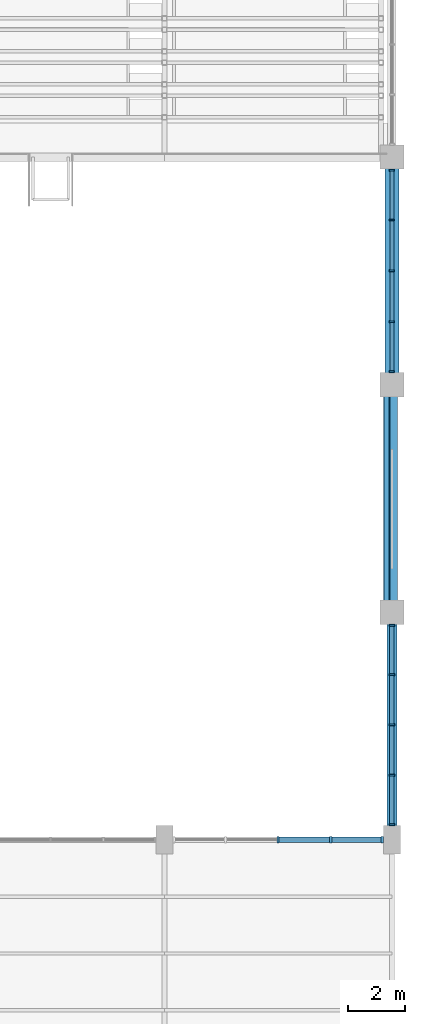
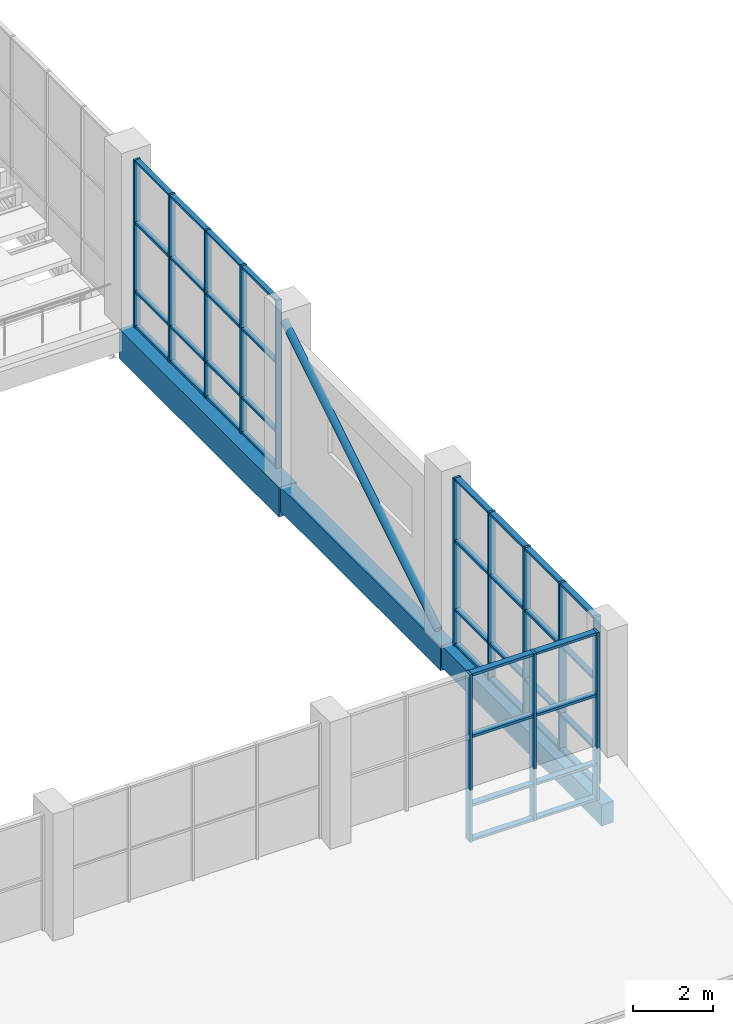
# One storey, part 53 of 122: 54 members, 3 beams, 3 elements without a shape of their own.
"""IFC4 building model written with IfcOpenShell, lengths in metres."""

from ifc_helpers import new_model, si_unit, direction, frame, origin, origin_2d, place, context, subcontext, project, spatial, rectangle, hollow_circle, extrude, material, material_profile, profile_set, type_object, element, aggregate, save


model = new_model("IFC4")

# Units and contexts
model_context = context("Model", 3, precision=1e-05, world=origin(), true_north=direction((0.0, 1.0)))
body_context = subcontext(model_context, "Body", "Model", "MODEL_VIEW")
ifc_project = project(units=[si_unit("LENGTHUNIT", "METRE"), si_unit("AREAUNIT", "SQUARE_METRE"), si_unit("VOLUMEUNIT", "CUBIC_METRE"), si_unit("PLANEANGLEUNIT", "RADIAN"), si_unit("MASSUNIT", "GRAM", prefix="KILO")], contexts=[model_context])

# Site, building, storey
site_placement = place(None, origin())
site = spatial("IfcSite", under=ifc_project, at=site_placement, CompositionType="ELEMENT")
building_placement = place(site_placement, origin())
building = spatial("IfcBuilding", under=site, at=building_placement, Name="Tenunan Teduh Sports Hall", CompositionType="ELEMENT")
storey_placement = place(building_placement, frame((0.0, 0.0, 5.39990234375)))
storey = spatial("IfcBuildingStorey", under=building, at=storey_placement, Name="L01", CompositionType="ELEMENT", Elevation=5.39990234375)

# Beams
ifc_material_1 = material(Name="Concrete C40/50", Category="concrete")
ifc_material_profile_1 = material_profile(ifc_material_1, rectangle(XDim=0.35009765625, YDim=0.64990234375, at=origin_2d()), Name="RCB 350x650")
ifc_profile_set_1 = profile_set([ifc_material_profile_1], Name="Concrete C40/50")
beam_type_1 = type_object("IfcBeamType", Name="BM-RC-350x650", PredefinedType="BEAM", material=ifc_profile_set_1)
beam_1_placement = place(storey_placement, frame((170.0, 14.0, -0.5849609375), z_axis=(0.0, 1.0, 0.0), x_axis=(-1.0, 0.0, 0.0)))
element("IfcBeam", 1, at=beam_1_placement, inside=storey, type_object=beam_type_1, Name="BM-B-05-L01-1304", PredefinedType="BEAM", context=body_context, shape_type="SweptSolid", body=[
    extrude(rectangle(XDim=0.35009765625, YDim=0.64990234375, at=origin_2d()), origin(), (0.0, 0.0, 1.0), 8.0),
])
ifc_material_2 = material(Name="Concrete C40/50", Category="concrete")
ifc_material_profile_2 = material_profile(ifc_material_2, rectangle(XDim=0.39990234375, YDim=0.75, at=origin_2d()), Name="RCB 400x750")
ifc_profile_set_2 = profile_set([ifc_material_profile_2], Name="Concrete C40/50")
beam_type_2 = type_object("IfcBeamType", Name="BM-RC-400x750", PredefinedType="BEAM", material=ifc_profile_set_2)
beam_2_placement = place(storey_placement, frame((170.0, 22.0, -0.635009765625), z_axis=(0.0, 1.0, 0.0), x_axis=(-1.0, 0.0, 0.0)))
element("IfcBeam", 2, at=beam_2_placement, inside=storey, type_object=beam_type_2, Name="BM-B-09-L01-1305", PredefinedType="BEAM", context=body_context, shape_type="SweptSolid", body=[
    extrude(rectangle(XDim=0.39990234375, YDim=0.75, at=origin_2d()), origin(), (0.0, 0.0, 1.0), 8.0),
])
ifc_material_3 = material(Name="Concrete C40/50", Category="concrete")
ifc_material_profile_3 = material_profile(ifc_material_3, rectangle(XDim=0.5, YDim=0.89990234375, at=origin_2d()), Name="RCB 500x900")
ifc_profile_set_3 = profile_set([ifc_material_profile_3], Name="Concrete C40/50")
beam_type_3 = type_object("IfcBeamType", Name="BM-RC-500x900", PredefinedType="BEAM", material=ifc_profile_set_3)
beam_3_placement = place(storey_placement, frame((170.0, 30.0, -0.7099609375), z_axis=(0.0, 1.0, 0.0), x_axis=(-1.0, 0.0, 0.0)))
element("IfcBeam", 3, at=beam_3_placement, inside=storey, type_object=beam_type_3, Name="BM-B-15-L01-1306", PredefinedType="BEAM", context=body_context, shape_type="SweptSolid", body=[
    extrude(rectangle(XDim=0.5, YDim=0.89990234375, at=origin_2d()), origin(), (0.0, 0.0, 1.0), 8.0),
])

# Curtain wall, members
ifc_material_4 = material(Name="Anodised aluminium", Category="aluminium")
curtain_wall_type = type_object("IfcCurtainWallType", Name="CW-UNIT-1", PredefinedType="NOTDEFINED", material=ifc_material_4)
curtain_wall_1_placement = place(storey_placement, origin())
curtain_wall_1 = element("IfcCurtainWall", 4, at=curtain_wall_1_placement, inside=storey, type_object=curtain_wall_type, Name="CW-CWM-175-L01-018", PredefinedType="NOTDEFINED")
ifc_material_5 = material(Name="Anodised aluminium", Category="aluminium")
ifc_material_profile_4 = material_profile(ifc_material_5, rectangle(XDim=0.06494140625, YDim=0.175048828125, at=origin_2d()), Name="CWM 65x175")
ifc_profile_set_4 = profile_set([ifc_material_profile_4], Name="Anodised aluminium")
member_type_1 = type_object("IfcMemberType", Name="CWM-175", PredefinedType="MULLION", material=ifc_profile_set_4)
member_1_placement = place(storey_placement, frame((170.0, 30.45751953125, 0.0), z_axis=(0.0, 0.0, 1.0), x_axis=(0.0, 1.0, 0.0)))
member_1 = element("IfcMember", 5, at=member_1_placement, type_object=member_type_1, Name="CW-01 mullion 1", PredefinedType="MULLION", context=body_context, shape_type="SweptSolid", body=[
    extrude(rectangle(XDim=0.06494140625, YDim=0.175048828125, at=origin_2d()), origin(), (0.0, 0.0, 1.0), 5.1201171875),
])
member_2_placement = place(storey_placement, frame((170.0, 32.21240234375, 0.0), z_axis=(0.0, 0.0, 1.0), x_axis=(0.0, 1.0, 0.0)))
member_2 = element("IfcMember", 6, at=member_2_placement, type_object=member_type_1, Name="CW-01 mullion 2", PredefinedType="MULLION", context=body_context, shape_type="SweptSolid", body=[
    extrude(rectangle(XDim=0.06494140625, YDim=0.175048828125, at=origin_2d()), origin(), (0.0, 0.0, 1.0), 5.1201171875),
])
member_3_placement = place(storey_placement, frame((170.0, 34.0, 0.0), z_axis=(0.0, 0.0, 1.0), x_axis=(0.0, 1.0, 0.0)))
member_3 = element("IfcMember", 7, at=member_3_placement, type_object=member_type_1, Name="CW-01 mullion 3", PredefinedType="MULLION", context=body_context, shape_type="SweptSolid", body=[
    extrude(rectangle(XDim=0.06494140625, YDim=0.175048828125, at=origin_2d()), origin(), (0.0, 0.0, 1.0), 5.1201171875),
])
member_4_placement = place(storey_placement, frame((170.0, 35.78759765625, 0.0), z_axis=(0.0, 0.0, 1.0), x_axis=(0.0, 1.0, 0.0)))
member_4 = element("IfcMember", 8, at=member_4_placement, type_object=member_type_1, Name="CW-01 mullion 4", PredefinedType="MULLION", context=body_context, shape_type="SweptSolid", body=[
    extrude(rectangle(XDim=0.06494140625, YDim=0.175048828125, at=origin_2d()), origin(), (0.0, 0.0, 1.0), 5.1201171875),
])
member_5_placement = place(storey_placement, frame((170.0, 37.54248046875, 0.0), z_axis=(0.0, 0.0, 1.0), x_axis=(0.0, 1.0, 0.0)))
member_5 = element("IfcMember", 9, at=member_5_placement, type_object=member_type_1, Name="CW-01 mullion 5", PredefinedType="MULLION", context=body_context, shape_type="SweptSolid", body=[
    extrude(rectangle(XDim=0.06494140625, YDim=0.175048828125, at=origin_2d()), origin(), (0.0, 0.0, 1.0), 5.1201171875),
])

curtain_wall_2_placement = place(storey_placement, origin())
curtain_wall_2 = element("IfcCurtainWall", 10, at=curtain_wall_2_placement, inside=storey, type_object=curtain_wall_type, Name="CW-CWM-200-L01-016", PredefinedType="NOTDEFINED")
ifc_material_6 = material(Name="Anodised aluminium", Category="aluminium")
ifc_material_profile_5 = material_profile(ifc_material_6, rectangle(XDim=0.070068359375, YDim=0.199951171875, at=origin_2d()), Name="CWM 70x200")
ifc_profile_set_5 = profile_set([ifc_material_profile_5], Name="Anodised aluminium")
member_type_2 = type_object("IfcMemberType", Name="CWM-200", PredefinedType="MULLION", material=ifc_profile_set_5)
member_6_placement = place(storey_placement, frame((170.0, 14.534912109375, 0.0), z_axis=(0.0, 0.0, 1.0), x_axis=(0.0, 1.0, 0.0)))
member_6 = element("IfcMember", 11, at=member_6_placement, type_object=member_type_2, Name="CW-01 mullion 1", PredefinedType="MULLION", context=body_context, shape_type="SweptSolid", body=[
    extrude(rectangle(XDim=0.070068359375, YDim=0.199951171875, at=origin_2d()), origin(), (0.0, 0.0, 1.0), 5.1201171875),
])
member_7_placement = place(storey_placement, frame((170.0, 16.268798828125, 0.0), z_axis=(0.0, 0.0, 1.0), x_axis=(0.0, 1.0, 0.0)))
member_7 = element("IfcMember", 12, at=member_7_placement, type_object=member_type_2, Name="CW-01 mullion 2", PredefinedType="MULLION", context=body_context, shape_type="SweptSolid", body=[
    extrude(rectangle(XDim=0.070068359375, YDim=0.199951171875, at=origin_2d()), origin(), (0.0, 0.0, 1.0), 5.1201171875),
])
member_8_placement = place(storey_placement, frame((170.0, 18.03759765625, 0.0), z_axis=(0.0, 0.0, 1.0), x_axis=(0.0, 1.0, 0.0)))
member_8 = element("IfcMember", 13, at=member_8_placement, type_object=member_type_2, Name="CW-01 mullion 3", PredefinedType="MULLION", context=body_context, shape_type="SweptSolid", body=[
    extrude(rectangle(XDim=0.070068359375, YDim=0.199951171875, at=origin_2d()), origin(), (0.0, 0.0, 1.0), 5.1201171875),
])
member_9_placement = place(storey_placement, frame((170.0, 19.80615234375, 0.0), z_axis=(0.0, 0.0, 1.0), x_axis=(0.0, 1.0, 0.0)))
member_9 = element("IfcMember", 14, at=member_9_placement, type_object=member_type_2, Name="CW-01 mullion 4", PredefinedType="MULLION", context=body_context, shape_type="SweptSolid", body=[
    extrude(rectangle(XDim=0.070068359375, YDim=0.199951171875, at=origin_2d()), origin(), (0.0, 0.0, 1.0), 5.1201171875),
])
member_10_placement = place(storey_placement, frame((170.0, 21.5400390625, 0.0), z_axis=(0.0, 0.0, 1.0), x_axis=(0.0, 1.0, 0.0)))
member_10 = element("IfcMember", 15, at=member_10_placement, type_object=member_type_2, Name="CW-01 mullion 5", PredefinedType="MULLION", context=body_context, shape_type="SweptSolid", body=[
    extrude(rectangle(XDim=0.070068359375, YDim=0.199951171875, at=origin_2d()), origin(), (0.0, 0.0, 1.0), 5.1201171875),
])

curtain_wall_3_placement = place(storey_placement, origin())
curtain_wall_3 = element("IfcCurtainWall", 16, at=curtain_wall_3_placement, inside=storey, type_object=curtain_wall_type, Name="CW-CWM-220-L01-013", PredefinedType="NOTDEFINED")
ifc_material_7 = material(Name="Anodised aluminium", Category="aluminium")
ifc_material_profile_6 = material_profile(ifc_material_7, rectangle(XDim=0.074951171875, YDim=0.219970703125, at=origin_2d()), Name="CWM 75x220")
ifc_profile_set_6 = profile_set([ifc_material_profile_6], Name="Anodised aluminium")
member_type_3 = type_object("IfcMemberType", Name="CWM-220", PredefinedType="MULLION", material=ifc_profile_set_6)
member_11_placement = place(storey_placement, frame((166.0, 14.0, 0.0), z_axis=(0.0, 0.0, 1.0), x_axis=(1.0, 0.0, 0.0)))
member_11 = element("IfcMember", 17, at=member_11_placement, type_object=member_type_3, Name="CW-01 mullion 3", PredefinedType="MULLION", context=body_context, shape_type="SweptSolid", body=[
    extrude(rectangle(XDim=0.074951171875, YDim=0.219970703125, at=origin_2d()), origin(), (0.0, 0.0, 1.0), 5.1201171875),
])
member_12_placement = place(storey_placement, frame((167.85009765625, 14.0, 0.0), z_axis=(0.0, 0.0, 1.0), x_axis=(1.0, 0.0, 0.0)))
member_12 = element("IfcMember", 18, at=member_12_placement, type_object=member_type_3, Name="CW-01 mullion 4", PredefinedType="MULLION", context=body_context, shape_type="SweptSolid", body=[
    extrude(rectangle(XDim=0.074951171875, YDim=0.219970703125, at=origin_2d()), origin(), (0.0, 0.0, 1.0), 5.1201171875),
])
member_13_placement = place(storey_placement, frame((169.66259765625, 14.0, 0.0), z_axis=(0.0, 0.0, 1.0), x_axis=(1.0, 0.0, 0.0)))
member_13 = element("IfcMember", 19, at=member_13_placement, type_object=member_type_3, Name="CW-01 mullion 5", PredefinedType="MULLION", context=body_context, shape_type="SweptSolid", body=[
    extrude(rectangle(XDim=0.074951171875, YDim=0.219970703125, at=origin_2d()), origin(), (0.0, 0.0, 1.0), 5.1201171875),
])

# Member
ifc_material_8 = material(Name="Anodised aluminium", Category="aluminium")
ifc_material_profile_7 = material_profile(ifc_material_8, rectangle(XDim=0.06494140625, YDim=0.139892578125, at=origin_2d()), Name="CWT 65x140")
ifc_profile_set_7 = profile_set([ifc_material_profile_7], Name="Anodised aluminium")
member_type_4 = type_object("IfcMemberType", Name="CWT-150", PredefinedType="USERDEFINED", material=ifc_profile_set_7)
member_14_placement = place(storey_placement, frame((170.0, 30.489990234375, 0.03271484375), z_axis=(0.0, 1.0, 0.0), x_axis=(0.0, 0.0, 1.0)))
member_14 = element("IfcMember", 20, at=member_14_placement, type_object=member_type_4, Name="CW-01 transom 1.1", ObjectType="TRANSOM", PredefinedType="USERDEFINED", context=body_context, shape_type="SweptSolid", body=[
    extrude(rectangle(XDim=0.06494140625, YDim=0.139892578125, at=origin_2d()), origin(), (0.0, 0.0, 1.0), 1.68994140625),
])

member_15_placement = place(storey_placement, frame((170.0, 30.489990234375, 1.10009765625), z_axis=(0.0, 1.0, 0.0), x_axis=(0.0, 0.0, 1.0)))
member_15 = element("IfcMember", 21, at=member_15_placement, type_object=member_type_4, Name="CW-01 transom 1.2", ObjectType="TRANSOM", PredefinedType="USERDEFINED", context=body_context, shape_type="SweptSolid", body=[
    extrude(rectangle(XDim=0.06494140625, YDim=0.139892578125, at=origin_2d()), origin(), (0.0, 0.0, 1.0), 1.68994140625),
])

member_16_placement = place(storey_placement, frame((170.0, 30.489990234375, 3.2001953125), z_axis=(0.0, 1.0, 0.0), x_axis=(0.0, 0.0, 1.0)))
member_16 = element("IfcMember", 22, at=member_16_placement, type_object=member_type_4, Name="CW-01 transom 1.3", ObjectType="TRANSOM", PredefinedType="USERDEFINED", context=body_context, shape_type="SweptSolid", body=[
    extrude(rectangle(XDim=0.06494140625, YDim=0.139892578125, at=origin_2d()), origin(), (0.0, 0.0, 1.0), 1.68994140625),
])

member_17_placement = place(storey_placement, frame((170.0, 30.489990234375, 5.087646484375), z_axis=(0.0, 1.0, 0.0), x_axis=(0.0, 0.0, 1.0)))
member_17 = element("IfcMember", 23, at=member_17_placement, type_object=member_type_4, Name="CW-01 transom 1.4", ObjectType="TRANSOM", PredefinedType="USERDEFINED", context=body_context, shape_type="SweptSolid", body=[
    extrude(rectangle(XDim=0.06494140625, YDim=0.139892578125, at=origin_2d()), origin(), (0.0, 0.0, 1.0), 1.68994140625),
])

member_18_placement = place(storey_placement, frame((170.0, 32.2451171875, 0.03271484375), z_axis=(0.0, 1.0, 0.0), x_axis=(0.0, 0.0, 1.0)))
member_18 = element("IfcMember", 24, at=member_18_placement, type_object=member_type_4, Name="CW-01 transom 2.1", ObjectType="TRANSOM", PredefinedType="USERDEFINED", context=body_context, shape_type="SweptSolid", body=[
    extrude(rectangle(XDim=0.06494140625, YDim=0.139892578125, at=origin_2d()), origin(), (0.0, 0.0, 1.0), 1.722412109375),
])

member_19_placement = place(storey_placement, frame((170.0, 32.2451171875, 1.10009765625), z_axis=(0.0, 1.0, 0.0), x_axis=(0.0, 0.0, 1.0)))
member_19 = element("IfcMember", 25, at=member_19_placement, type_object=member_type_4, Name="CW-01 transom 2.2", ObjectType="TRANSOM", PredefinedType="USERDEFINED", context=body_context, shape_type="SweptSolid", body=[
    extrude(rectangle(XDim=0.06494140625, YDim=0.139892578125, at=origin_2d()), origin(), (0.0, 0.0, 1.0), 1.722412109375),
])

member_20_placement = place(storey_placement, frame((170.0, 32.2451171875, 3.2001953125), z_axis=(0.0, 1.0, 0.0), x_axis=(0.0, 0.0, 1.0)))
member_20 = element("IfcMember", 26, at=member_20_placement, type_object=member_type_4, Name="CW-01 transom 2.3", ObjectType="TRANSOM", PredefinedType="USERDEFINED", context=body_context, shape_type="SweptSolid", body=[
    extrude(rectangle(XDim=0.06494140625, YDim=0.139892578125, at=origin_2d()), origin(), (0.0, 0.0, 1.0), 1.722412109375),
])

member_21_placement = place(storey_placement, frame((170.0, 32.2451171875, 5.087646484375), z_axis=(0.0, 1.0, 0.0), x_axis=(0.0, 0.0, 1.0)))
member_21 = element("IfcMember", 27, at=member_21_placement, type_object=member_type_4, Name="CW-01 transom 2.4", ObjectType="TRANSOM", PredefinedType="USERDEFINED", context=body_context, shape_type="SweptSolid", body=[
    extrude(rectangle(XDim=0.06494140625, YDim=0.139892578125, at=origin_2d()), origin(), (0.0, 0.0, 1.0), 1.722412109375),
])

member_22_placement = place(storey_placement, frame((170.0, 34.032470703125, 0.03271484375), z_axis=(0.0, 1.0, 0.0), x_axis=(0.0, 0.0, 1.0)))
member_22 = element("IfcMember", 28, at=member_22_placement, type_object=member_type_4, Name="CW-01 transom 3.1", ObjectType="TRANSOM", PredefinedType="USERDEFINED", context=body_context, shape_type="SweptSolid", body=[
    extrude(rectangle(XDim=0.06494140625, YDim=0.139892578125, at=origin_2d()), origin(), (0.0, 0.0, 1.0), 1.722412109375),
])

member_23_placement = place(storey_placement, frame((170.0, 34.032470703125, 1.10009765625), z_axis=(0.0, 1.0, 0.0), x_axis=(0.0, 0.0, 1.0)))
member_23 = element("IfcMember", 29, at=member_23_placement, type_object=member_type_4, Name="CW-01 transom 3.2", ObjectType="TRANSOM", PredefinedType="USERDEFINED", context=body_context, shape_type="SweptSolid", body=[
    extrude(rectangle(XDim=0.06494140625, YDim=0.139892578125, at=origin_2d()), origin(), (0.0, 0.0, 1.0), 1.722412109375),
])

member_24_placement = place(storey_placement, frame((170.0, 34.032470703125, 3.2001953125), z_axis=(0.0, 1.0, 0.0), x_axis=(0.0, 0.0, 1.0)))
member_24 = element("IfcMember", 30, at=member_24_placement, type_object=member_type_4, Name="CW-01 transom 3.3", ObjectType="TRANSOM", PredefinedType="USERDEFINED", context=body_context, shape_type="SweptSolid", body=[
    extrude(rectangle(XDim=0.06494140625, YDim=0.139892578125, at=origin_2d()), origin(), (0.0, 0.0, 1.0), 1.722412109375),
])

member_25_placement = place(storey_placement, frame((170.0, 34.032470703125, 5.087646484375), z_axis=(0.0, 1.0, 0.0), x_axis=(0.0, 0.0, 1.0)))
member_25 = element("IfcMember", 31, at=member_25_placement, type_object=member_type_4, Name="CW-01 transom 3.4", ObjectType="TRANSOM", PredefinedType="USERDEFINED", context=body_context, shape_type="SweptSolid", body=[
    extrude(rectangle(XDim=0.06494140625, YDim=0.139892578125, at=origin_2d()), origin(), (0.0, 0.0, 1.0), 1.722412109375),
])

member_26_placement = place(storey_placement, frame((170.0, 35.820068359375, 0.03271484375), z_axis=(0.0, 1.0, 0.0), x_axis=(0.0, 0.0, 1.0)))
member_26 = element("IfcMember", 32, at=member_26_placement, type_object=member_type_4, Name="CW-01 transom 4.1", ObjectType="TRANSOM", PredefinedType="USERDEFINED", context=body_context, shape_type="SweptSolid", body=[
    extrude(rectangle(XDim=0.06494140625, YDim=0.139892578125, at=origin_2d()), origin(), (0.0, 0.0, 1.0), 1.68994140625),
])

member_27_placement = place(storey_placement, frame((170.0, 35.820068359375, 1.10009765625), z_axis=(0.0, 1.0, 0.0), x_axis=(0.0, 0.0, 1.0)))
member_27 = element("IfcMember", 33, at=member_27_placement, type_object=member_type_4, Name="CW-01 transom 4.2", ObjectType="TRANSOM", PredefinedType="USERDEFINED", context=body_context, shape_type="SweptSolid", body=[
    extrude(rectangle(XDim=0.06494140625, YDim=0.139892578125, at=origin_2d()), origin(), (0.0, 0.0, 1.0), 1.68994140625),
])

member_28_placement = place(storey_placement, frame((170.0, 35.820068359375, 3.2001953125), z_axis=(0.0, 1.0, 0.0), x_axis=(0.0, 0.0, 1.0)))
member_28 = element("IfcMember", 34, at=member_28_placement, type_object=member_type_4, Name="CW-01 transom 4.3", ObjectType="TRANSOM", PredefinedType="USERDEFINED", context=body_context, shape_type="SweptSolid", body=[
    extrude(rectangle(XDim=0.06494140625, YDim=0.139892578125, at=origin_2d()), origin(), (0.0, 0.0, 1.0), 1.68994140625),
])

member_29_placement = place(storey_placement, frame((170.0, 35.820068359375, 5.087646484375), z_axis=(0.0, 1.0, 0.0), x_axis=(0.0, 0.0, 1.0)))
member_29 = element("IfcMember", 35, at=member_29_placement, type_object=member_type_4, Name="CW-01 transom 4.4", ObjectType="TRANSOM", PredefinedType="USERDEFINED", context=body_context, shape_type="SweptSolid", body=[
    extrude(rectangle(XDim=0.06494140625, YDim=0.139892578125, at=origin_2d()), origin(), (0.0, 0.0, 1.0), 1.68994140625),
])

aggregate(curtain_wall_1, [member_1, member_2, member_3, member_4, member_5, member_14, member_15, member_16, member_17, member_18, member_19, member_20, member_21, member_22, member_23, member_24, member_25, member_26, member_27, member_28, member_29])

ifc_material_9 = material(Name="Anodised aluminium", Category="aluminium")
ifc_material_profile_8 = material_profile(ifc_material_9, rectangle(XDim=0.074951171875, YDim=0.179931640625, at=origin_2d()), Name="CWT 75x180")
ifc_profile_set_8 = profile_set([ifc_material_profile_8], Name="Anodised aluminium")
member_type_5 = type_object("IfcMemberType", Name="CWT-180", PredefinedType="USERDEFINED", material=ifc_profile_set_8)
member_30_placement = place(storey_placement, frame((166.03759765625, 14.0, 0.03759765625), z_axis=(1.0, 0.0, 0.0), x_axis=(0.0, 0.0, 1.0)))
member_30 = element("IfcMember", 36, at=member_30_placement, type_object=member_type_5, Name="CW-01 transom 3.1", ObjectType="TRANSOM", PredefinedType="USERDEFINED", context=body_context, shape_type="SweptSolid", body=[
    extrude(rectangle(XDim=0.074951171875, YDim=0.179931640625, at=origin_2d()), origin(), (0.0, 0.0, 1.0), 1.77490234375),
])

member_31_placement = place(storey_placement, frame((166.03759765625, 14.0, 1.10009765625), z_axis=(1.0, 0.0, 0.0), x_axis=(0.0, 0.0, 1.0)))
member_31 = element("IfcMember", 37, at=member_31_placement, type_object=member_type_5, Name="CW-01 transom 3.2", ObjectType="TRANSOM", PredefinedType="USERDEFINED", context=body_context, shape_type="SweptSolid", body=[
    extrude(rectangle(XDim=0.074951171875, YDim=0.179931640625, at=origin_2d()), origin(), (0.0, 0.0, 1.0), 1.77490234375),
])

member_32_placement = place(storey_placement, frame((166.03759765625, 14.0, 3.2001953125), z_axis=(1.0, 0.0, 0.0), x_axis=(0.0, 0.0, 1.0)))
member_32 = element("IfcMember", 38, at=member_32_placement, type_object=member_type_5, Name="CW-01 transom 3.3", ObjectType="TRANSOM", PredefinedType="USERDEFINED", context=body_context, shape_type="SweptSolid", body=[
    extrude(rectangle(XDim=0.074951171875, YDim=0.179931640625, at=origin_2d()), origin(), (0.0, 0.0, 1.0), 1.77490234375),
])

member_33_placement = place(storey_placement, frame((166.03759765625, 14.0, 5.08251953125), z_axis=(1.0, 0.0, 0.0), x_axis=(0.0, 0.0, 1.0)))
member_33 = element("IfcMember", 39, at=member_33_placement, type_object=member_type_5, Name="CW-01 transom 3.4", ObjectType="TRANSOM", PredefinedType="USERDEFINED", context=body_context, shape_type="SweptSolid", body=[
    extrude(rectangle(XDim=0.074951171875, YDim=0.179931640625, at=origin_2d()), origin(), (0.0, 0.0, 1.0), 1.77490234375),
])

member_34_placement = place(storey_placement, frame((167.887451171875, 14.0, 0.03759765625), z_axis=(1.0, 0.0, 0.0), x_axis=(0.0, 0.0, 1.0)))
member_34 = element("IfcMember", 40, at=member_34_placement, type_object=member_type_5, Name="CW-01 transom 4.1", ObjectType="TRANSOM", PredefinedType="USERDEFINED", context=body_context, shape_type="SweptSolid", body=[
    extrude(rectangle(XDim=0.074951171875, YDim=0.179931640625, at=origin_2d()), origin(), (0.0, 0.0, 1.0), 1.737548828125),
])

member_35_placement = place(storey_placement, frame((167.887451171875, 14.0, 1.10009765625), z_axis=(1.0, 0.0, 0.0), x_axis=(0.0, 0.0, 1.0)))
member_35 = element("IfcMember", 41, at=member_35_placement, type_object=member_type_5, Name="CW-01 transom 4.2", ObjectType="TRANSOM", PredefinedType="USERDEFINED", context=body_context, shape_type="SweptSolid", body=[
    extrude(rectangle(XDim=0.074951171875, YDim=0.179931640625, at=origin_2d()), origin(), (0.0, 0.0, 1.0), 1.737548828125),
])

member_36_placement = place(storey_placement, frame((167.887451171875, 14.0, 3.2001953125), z_axis=(1.0, 0.0, 0.0), x_axis=(0.0, 0.0, 1.0)))
member_36 = element("IfcMember", 42, at=member_36_placement, type_object=member_type_5, Name="CW-01 transom 4.3", ObjectType="TRANSOM", PredefinedType="USERDEFINED", context=body_context, shape_type="SweptSolid", body=[
    extrude(rectangle(XDim=0.074951171875, YDim=0.179931640625, at=origin_2d()), origin(), (0.0, 0.0, 1.0), 1.737548828125),
])

member_37_placement = place(storey_placement, frame((167.887451171875, 14.0, 5.08251953125), z_axis=(1.0, 0.0, 0.0), x_axis=(0.0, 0.0, 1.0)))
member_37 = element("IfcMember", 43, at=member_37_placement, type_object=member_type_5, Name="CW-01 transom 4.4", ObjectType="TRANSOM", PredefinedType="USERDEFINED", context=body_context, shape_type="SweptSolid", body=[
    extrude(rectangle(XDim=0.074951171875, YDim=0.179931640625, at=origin_2d()), origin(), (0.0, 0.0, 1.0), 1.737548828125),
])

aggregate(curtain_wall_3, [member_11, member_12, member_13, member_30, member_31, member_32, member_33, member_34, member_35, member_36, member_37])

ifc_material_10 = material(Name="Anodised aluminium", Category="aluminium")
ifc_material_profile_9 = material_profile(ifc_material_10, rectangle(XDim=0.070068359375, YDim=0.159912109375, at=origin_2d()), Name="CWT 70x160")
ifc_profile_set_9 = profile_set([ifc_material_profile_9], Name="Anodised aluminium")
member_type_6 = type_object("IfcMemberType", Name="CWT-200", PredefinedType="USERDEFINED", material=ifc_profile_set_9)
member_38_placement = place(storey_placement, frame((170.0, 14.570068359375, 0.03515625), z_axis=(0.0, 1.0, 0.0), x_axis=(0.0, 0.0, 1.0)))
member_38 = element("IfcMember", 44, at=member_38_placement, type_object=member_type_6, Name="CW-01 transom 1.1", ObjectType="TRANSOM", PredefinedType="USERDEFINED", context=body_context, shape_type="SweptSolid", body=[
    extrude(rectangle(XDim=0.070068359375, YDim=0.159912109375, at=origin_2d()), origin(), (0.0, 0.0, 1.0), 1.66357421875),
])

member_39_placement = place(storey_placement, frame((170.0, 14.570068359375, 1.10009765625), z_axis=(0.0, 1.0, 0.0), x_axis=(0.0, 0.0, 1.0)))
member_39 = element("IfcMember", 45, at=member_39_placement, type_object=member_type_6, Name="CW-01 transom 1.2", ObjectType="TRANSOM", PredefinedType="USERDEFINED", context=body_context, shape_type="SweptSolid", body=[
    extrude(rectangle(XDim=0.070068359375, YDim=0.159912109375, at=origin_2d()), origin(), (0.0, 0.0, 1.0), 1.66357421875),
])

member_40_placement = place(storey_placement, frame((170.0, 14.570068359375, 3.2001953125), z_axis=(0.0, 1.0, 0.0), x_axis=(0.0, 0.0, 1.0)))
member_40 = element("IfcMember", 46, at=member_40_placement, type_object=member_type_6, Name="CW-01 transom 1.3", ObjectType="TRANSOM", PredefinedType="USERDEFINED", context=body_context, shape_type="SweptSolid", body=[
    extrude(rectangle(XDim=0.070068359375, YDim=0.159912109375, at=origin_2d()), origin(), (0.0, 0.0, 1.0), 1.66357421875),
])

member_41_placement = place(storey_placement, frame((170.0, 14.570068359375, 5.085205078125), z_axis=(0.0, 1.0, 0.0), x_axis=(0.0, 0.0, 1.0)))
member_41 = element("IfcMember", 47, at=member_41_placement, type_object=member_type_6, Name="CW-01 transom 1.4", ObjectType="TRANSOM", PredefinedType="USERDEFINED", context=body_context, shape_type="SweptSolid", body=[
    extrude(rectangle(XDim=0.070068359375, YDim=0.159912109375, at=origin_2d()), origin(), (0.0, 0.0, 1.0), 1.66357421875),
])

member_42_placement = place(storey_placement, frame((170.0, 16.3037109375, 0.03515625), z_axis=(0.0, 1.0, 0.0), x_axis=(0.0, 0.0, 1.0)))
member_42 = element("IfcMember", 48, at=member_42_placement, type_object=member_type_6, Name="CW-01 transom 2.1", ObjectType="TRANSOM", PredefinedType="USERDEFINED", context=body_context, shape_type="SweptSolid", body=[
    extrude(rectangle(XDim=0.070068359375, YDim=0.159912109375, at=origin_2d()), origin(), (0.0, 0.0, 1.0), 1.69873046875),
])

member_43_placement = place(storey_placement, frame((170.0, 16.3037109375, 1.10009765625), z_axis=(0.0, 1.0, 0.0), x_axis=(0.0, 0.0, 1.0)))
member_43 = element("IfcMember", 49, at=member_43_placement, type_object=member_type_6, Name="CW-01 transom 2.2", ObjectType="TRANSOM", PredefinedType="USERDEFINED", context=body_context, shape_type="SweptSolid", body=[
    extrude(rectangle(XDim=0.070068359375, YDim=0.159912109375, at=origin_2d()), origin(), (0.0, 0.0, 1.0), 1.69873046875),
])

member_44_placement = place(storey_placement, frame((170.0, 16.3037109375, 3.2001953125), z_axis=(0.0, 1.0, 0.0), x_axis=(0.0, 0.0, 1.0)))
member_44 = element("IfcMember", 50, at=member_44_placement, type_object=member_type_6, Name="CW-01 transom 2.3", ObjectType="TRANSOM", PredefinedType="USERDEFINED", context=body_context, shape_type="SweptSolid", body=[
    extrude(rectangle(XDim=0.070068359375, YDim=0.159912109375, at=origin_2d()), origin(), (0.0, 0.0, 1.0), 1.69873046875),
])

member_45_placement = place(storey_placement, frame((170.0, 16.3037109375, 5.085205078125), z_axis=(0.0, 1.0, 0.0), x_axis=(0.0, 0.0, 1.0)))
member_45 = element("IfcMember", 51, at=member_45_placement, type_object=member_type_6, Name="CW-01 transom 2.4", ObjectType="TRANSOM", PredefinedType="USERDEFINED", context=body_context, shape_type="SweptSolid", body=[
    extrude(rectangle(XDim=0.070068359375, YDim=0.159912109375, at=origin_2d()), origin(), (0.0, 0.0, 1.0), 1.69873046875),
])

member_46_placement = place(storey_placement, frame((170.0, 18.072509765625, 0.03515625), z_axis=(0.0, 1.0, 0.0), x_axis=(0.0, 0.0, 1.0)))
member_46 = element("IfcMember", 52, at=member_46_placement, type_object=member_type_6, Name="CW-01 transom 3.1", ObjectType="TRANSOM", PredefinedType="USERDEFINED", context=body_context, shape_type="SweptSolid", body=[
    extrude(rectangle(XDim=0.070068359375, YDim=0.159912109375, at=origin_2d()), origin(), (0.0, 0.0, 1.0), 1.69873046875),
])

member_47_placement = place(storey_placement, frame((170.0, 18.072509765625, 1.10009765625), z_axis=(0.0, 1.0, 0.0), x_axis=(0.0, 0.0, 1.0)))
member_47 = element("IfcMember", 53, at=member_47_placement, type_object=member_type_6, Name="CW-01 transom 3.2", ObjectType="TRANSOM", PredefinedType="USERDEFINED", context=body_context, shape_type="SweptSolid", body=[
    extrude(rectangle(XDim=0.070068359375, YDim=0.159912109375, at=origin_2d()), origin(), (0.0, 0.0, 1.0), 1.69873046875),
])

member_48_placement = place(storey_placement, frame((170.0, 18.072509765625, 3.2001953125), z_axis=(0.0, 1.0, 0.0), x_axis=(0.0, 0.0, 1.0)))
member_48 = element("IfcMember", 54, at=member_48_placement, type_object=member_type_6, Name="CW-01 transom 3.3", ObjectType="TRANSOM", PredefinedType="USERDEFINED", context=body_context, shape_type="SweptSolid", body=[
    extrude(rectangle(XDim=0.070068359375, YDim=0.159912109375, at=origin_2d()), origin(), (0.0, 0.0, 1.0), 1.69873046875),
])

member_49_placement = place(storey_placement, frame((170.0, 18.072509765625, 5.085205078125), z_axis=(0.0, 1.0, 0.0), x_axis=(0.0, 0.0, 1.0)))
member_49 = element("IfcMember", 55, at=member_49_placement, type_object=member_type_6, Name="CW-01 transom 3.4", ObjectType="TRANSOM", PredefinedType="USERDEFINED", context=body_context, shape_type="SweptSolid", body=[
    extrude(rectangle(XDim=0.070068359375, YDim=0.159912109375, at=origin_2d()), origin(), (0.0, 0.0, 1.0), 1.69873046875),
])

member_50_placement = place(storey_placement, frame((170.0, 19.84130859375, 0.03515625), z_axis=(0.0, 1.0, 0.0), x_axis=(0.0, 0.0, 1.0)))
member_50 = element("IfcMember", 56, at=member_50_placement, type_object=member_type_6, Name="CW-01 transom 4.1", ObjectType="TRANSOM", PredefinedType="USERDEFINED", context=body_context, shape_type="SweptSolid", body=[
    extrude(rectangle(XDim=0.070068359375, YDim=0.159912109375, at=origin_2d()), origin(), (0.0, 0.0, 1.0), 1.66357421875),
])

member_51_placement = place(storey_placement, frame((170.0, 19.84130859375, 1.10009765625), z_axis=(0.0, 1.0, 0.0), x_axis=(0.0, 0.0, 1.0)))
member_51 = element("IfcMember", 57, at=member_51_placement, type_object=member_type_6, Name="CW-01 transom 4.2", ObjectType="TRANSOM", PredefinedType="USERDEFINED", context=body_context, shape_type="SweptSolid", body=[
    extrude(rectangle(XDim=0.070068359375, YDim=0.159912109375, at=origin_2d()), origin(), (0.0, 0.0, 1.0), 1.66357421875),
])

member_52_placement = place(storey_placement, frame((170.0, 19.84130859375, 3.2001953125), z_axis=(0.0, 1.0, 0.0), x_axis=(0.0, 0.0, 1.0)))
member_52 = element("IfcMember", 58, at=member_52_placement, type_object=member_type_6, Name="CW-01 transom 4.3", ObjectType="TRANSOM", PredefinedType="USERDEFINED", context=body_context, shape_type="SweptSolid", body=[
    extrude(rectangle(XDim=0.070068359375, YDim=0.159912109375, at=origin_2d()), origin(), (0.0, 0.0, 1.0), 1.66357421875),
])

member_53_placement = place(storey_placement, frame((170.0, 19.84130859375, 5.085205078125), z_axis=(0.0, 1.0, 0.0), x_axis=(0.0, 0.0, 1.0)))
member_53 = element("IfcMember", 59, at=member_53_placement, type_object=member_type_6, Name="CW-01 transom 4.4", ObjectType="TRANSOM", PredefinedType="USERDEFINED", context=body_context, shape_type="SweptSolid", body=[
    extrude(rectangle(XDim=0.070068359375, YDim=0.159912109375, at=origin_2d()), origin(), (0.0, 0.0, 1.0), 1.66357421875),
])

aggregate(curtain_wall_2, [member_6, member_7, member_8, member_9, member_10, member_38, member_39, member_40, member_41, member_42, member_43, member_44, member_45, member_46, member_47, member_48, member_49, member_50, member_51, member_52, member_53])

ifc_material_11 = material(Name="Steel S355", Category="steel")
ifc_material_profile_10 = material_profile(ifc_material_11, hollow_circle(Radius=0.109619140625, WallThickness=0.010009765625, at=origin_2d()), Name="CHS 219.1x10.0")
ifc_profile_set_10 = profile_set([ifc_material_profile_10], Name="Steel S355")
member_type_7 = type_object("IfcMemberType", Name="MEM-BR-CHS219", PredefinedType="BRACE", material=ifc_profile_set_10)
member_54_placement = place(storey_placement, frame((169.820068359375, 22.14990234375, 0.150146484375), z_axis=(0.0, 0.851094506608, 0.525012514919), x_axis=(-1.0, 0.0, 0.0)))
element("IfcMember", 60, at=member_54_placement, inside=storey, type_object=member_type_7, Name="MEM-GD-02-L01-1455", PredefinedType="BRACE", context=body_context, shape_type="SweptSolid", body=[
    extrude(hollow_circle(Radius=0.109619140625, WallThickness=0.010009765625, at=origin_2d()), origin(), (0.0, 0.0, 1.0), 9.04736328125),
])

save(model, "model.ifc")
